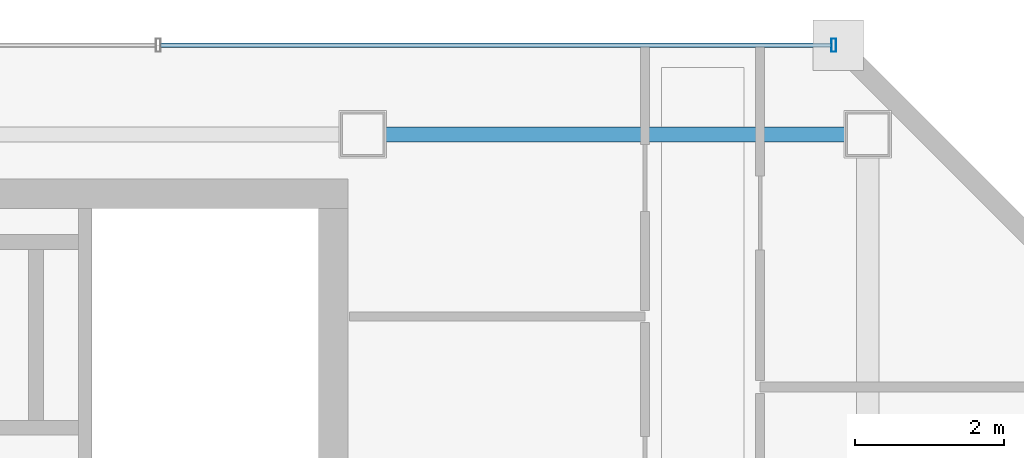
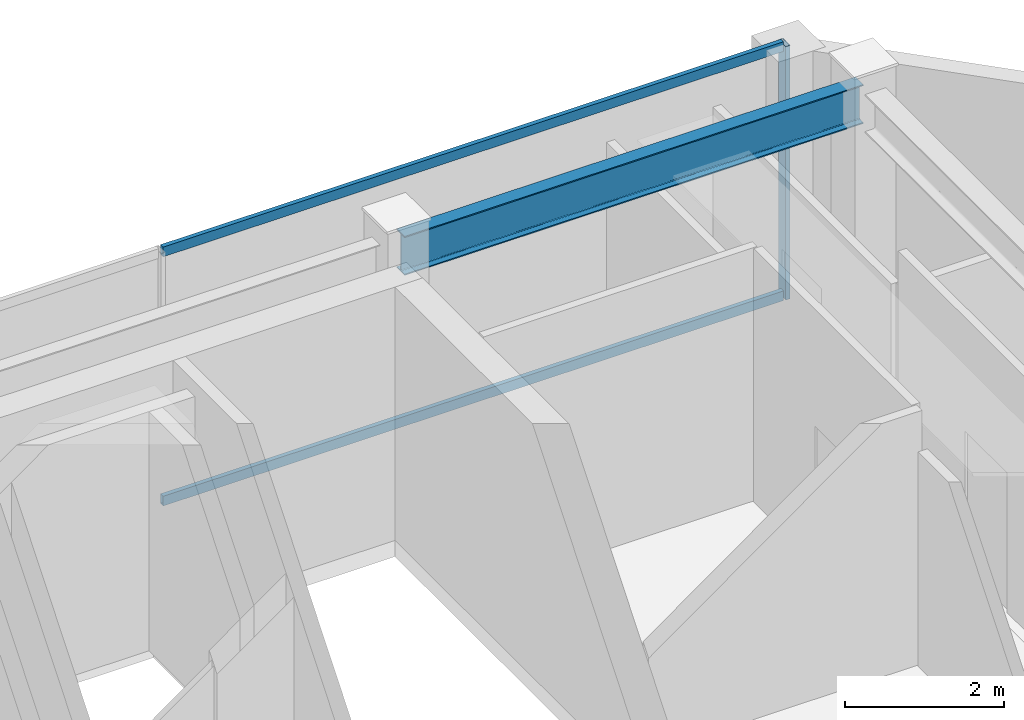
# One storey, part 12 of 17: 3 members, 1 beam, 1 element without a shape of its own.
"""IFC4 building model written with IfcOpenShell, lengths in metres."""

from ifc_helpers import new_model, si_unit, direction, frame, origin, origin_2d, place, context, subcontext, project, spatial, hollow_rectangle, i_section, extrude, material, material_profile, profile_set, type_object, element, aggregate, save


model = new_model("IFC4")

# Units and contexts
model_context = context("Model", 3, precision=1e-05, world=origin(), true_north=direction((0.0, 1.0)))
body_context = subcontext(model_context, "Body", "Model", "MODEL_VIEW")
ifc_project = project(units=[si_unit("LENGTHUNIT", "METRE"), si_unit("AREAUNIT", "SQUARE_METRE"), si_unit("VOLUMEUNIT", "CUBIC_METRE"), si_unit("PLANEANGLEUNIT", "RADIAN"), si_unit("MASSUNIT", "GRAM", prefix="KILO")], contexts=[model_context])

# Site, building, storey
site_placement = place(None, origin())
site = spatial("IfcSite", under=ifc_project, at=site_placement, CompositionType="ELEMENT")
building_placement = place(site_placement, origin())
building = spatial("IfcBuilding", under=site, at=building_placement, Name="Saevonmaru Cultural Tower", CompositionType="ELEMENT")
storey_placement = place(building_placement, frame((0.0, 0.0, 323.39990234375)))
storey = spatial("IfcBuildingStorey", under=building, at=storey_placement, Name="L77", CompositionType="ELEMENT", Elevation=323.39990234375)

# Beam
ifc_material_1 = material(Name="Steel SM355", Category="steel")
ifc_material_profile_1 = material_profile(ifc_material_1, i_section(OverallWidth=0.199951171875, OverallDepth=0.60009765625, WebThickness=0.010986328125, FlangeThickness=0.01708984375, FilletRadius=0.02197265625, at=origin_2d()), Name="H-600x200x11x17")
ifc_profile_set_1 = profile_set([ifc_material_profile_1], Name="Steel SM355")
beam_type = type_object("IfcBeamType", Name="BM-SP-H600", PredefinedType="SPANDREL", material=ifc_profile_set_1)
beam_placement = place(storey_placement, frame((46.4599609375, 54.800048828125, 3.60009765625), z_axis=(1.0, 0.0, 0.0), x_axis=(0.0, 1.0, 0.0)))
element("IfcBeam", 1, at=beam_placement, inside=storey, type_object=beam_type, Name="L77 North Spine Girder 5", PredefinedType="SPANDREL", context=body_context, shape_type="SweptSolid", body=[
    extrude(i_section(OverallWidth=0.199951171875, OverallDepth=0.60009765625, WebThickness=0.010986328125, FlangeThickness=0.01708984375, FilletRadius=0.02197265625, at=origin_2d()), origin(), (0.0, 0.0, 1.0), 6.679931640625),
])

# Curtain wall, members
ifc_material_2 = material(Name="Satin Bronze Anodised Aluminium", Category="aluminium")
curtain_wall_type = type_object("IfcCurtainWallType", Name="CW-SKY-GLZ", PredefinedType="NOTDEFINED", material=ifc_material_2)
curtain_wall_placement = place(storey_placement, origin())
curtain_wall = element("IfcCurtainWall", 2, at=curtain_wall_placement, inside=storey, type_object=curtain_wall_type, Name="L77 Unitised Curtain Wall E10", PredefinedType="NOTDEFINED")
ifc_material_profile_2 = material_profile(ifc_material_2, hollow_rectangle(XDim=0.06494140625, YDim=0.179931640625, WallThickness=0.00390625, at=origin_2d()), Name="ALU-MULL-180x65x4")
ifc_profile_set_2 = profile_set([ifc_material_profile_2], Name="Satin Bronze Anodised Aluminium")
member_type_1 = type_object("IfcMemberType", Name="ML-CW-180x65", PredefinedType="MULLION", material=ifc_profile_set_2)
member_1_placement = place(storey_placement, frame((52.739990234375, 56.0, 0.0), z_axis=(0.0, 0.0, 1.0), x_axis=(-1.0, 0.0, 0.0)))
member_1 = element("IfcMember", 3, at=member_1_placement, type_object=member_type_1, Name="CW-TW-L77-E10 mullion 1", PredefinedType="MULLION", context=body_context, shape_type="SweptSolid", body=[
    extrude(hollow_rectangle(XDim=0.06494140625, YDim=0.179931640625, WallThickness=0.00390625, at=origin_2d()), origin(), (0.0, 0.0, 1.0), 3.900146484375),
])
ifc_material_profile_3 = material_profile(ifc_material_2, hollow_rectangle(XDim=0.06494140625, YDim=0.14990234375, WallThickness=0.00390625, at=origin_2d()), Name="ALU-TRAN-150x65x4")
ifc_profile_set_3 = profile_set([ifc_material_profile_3], Name="Satin Bronze Anodised Aluminium")
member_type_2 = type_object("IfcMemberType", Name="TR-CW-150x65", PredefinedType="USERDEFINED", material=ifc_profile_set_3)
member_2_placement = place(storey_placement, frame((52.70751953125, 56.0, 0.03271484375), z_axis=(-1.0, 0.0, 0.0), x_axis=(0.0, -1.0, 0.0)))
member_2 = element("IfcMember", 4, at=member_2_placement, type_object=member_type_2, Name="CW-TW-L77-E10 transom 1.1", ObjectType="TRANSOM", PredefinedType="USERDEFINED", context=body_context, shape_type="SweptSolid", body=[
    extrude(hollow_rectangle(XDim=0.06494140625, YDim=0.14990234375, WallThickness=0.00390625, at=origin_2d()), origin(), (0.0, 0.0, 1.0), 9.031005859375),
])
member_3_placement = place(storey_placement, frame((52.70751953125, 56.0, 3.86767578125), z_axis=(-1.0, 0.0, 0.0), x_axis=(0.0, -1.0, 0.0)))
member_3 = element("IfcMember", 5, at=member_3_placement, type_object=member_type_2, Name="CW-TW-L77-E10 transom 1.2", ObjectType="TRANSOM", PredefinedType="USERDEFINED", context=body_context, shape_type="SweptSolid", body=[
    extrude(hollow_rectangle(XDim=0.06494140625, YDim=0.14990234375, WallThickness=0.00390625, at=origin_2d()), origin(), (0.0, 0.0, 1.0), 9.031005859375),
])
aggregate(curtain_wall, [member_1, member_2, member_3])

save(model, "model.ifc")
